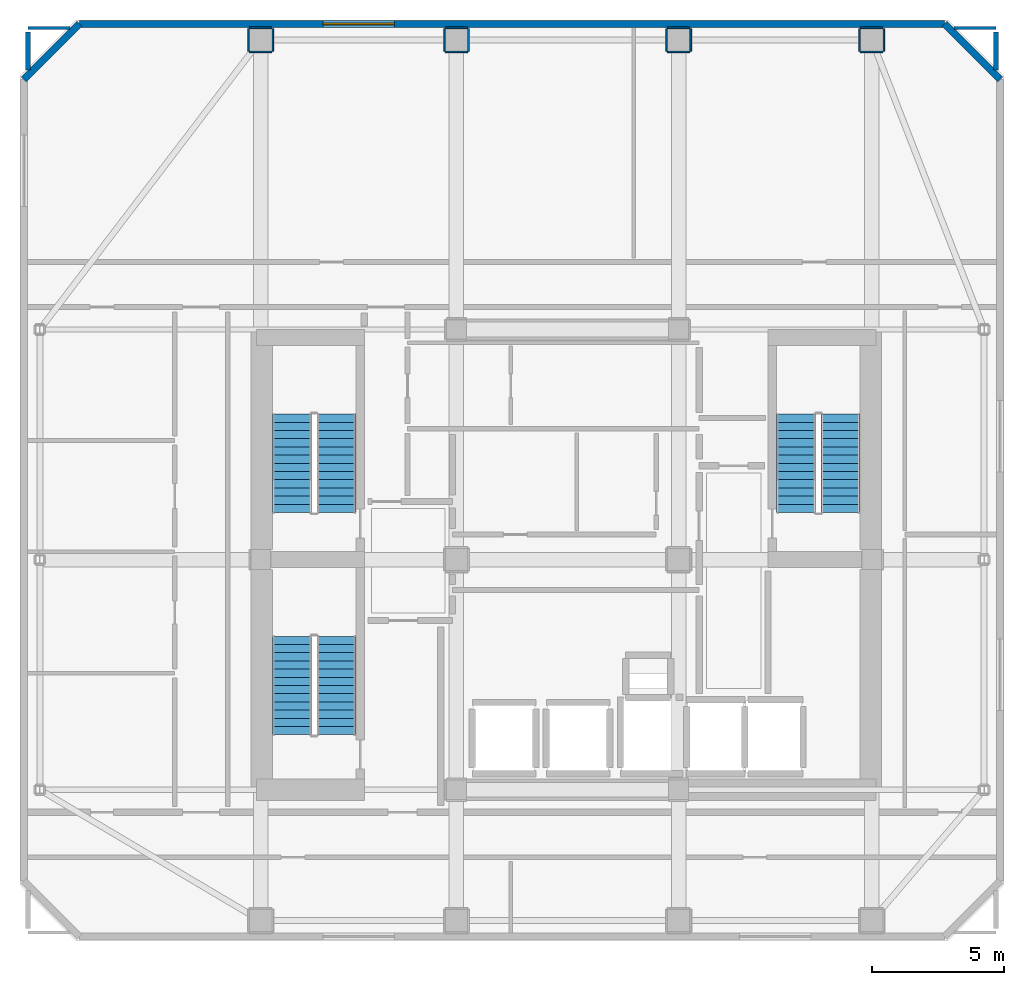
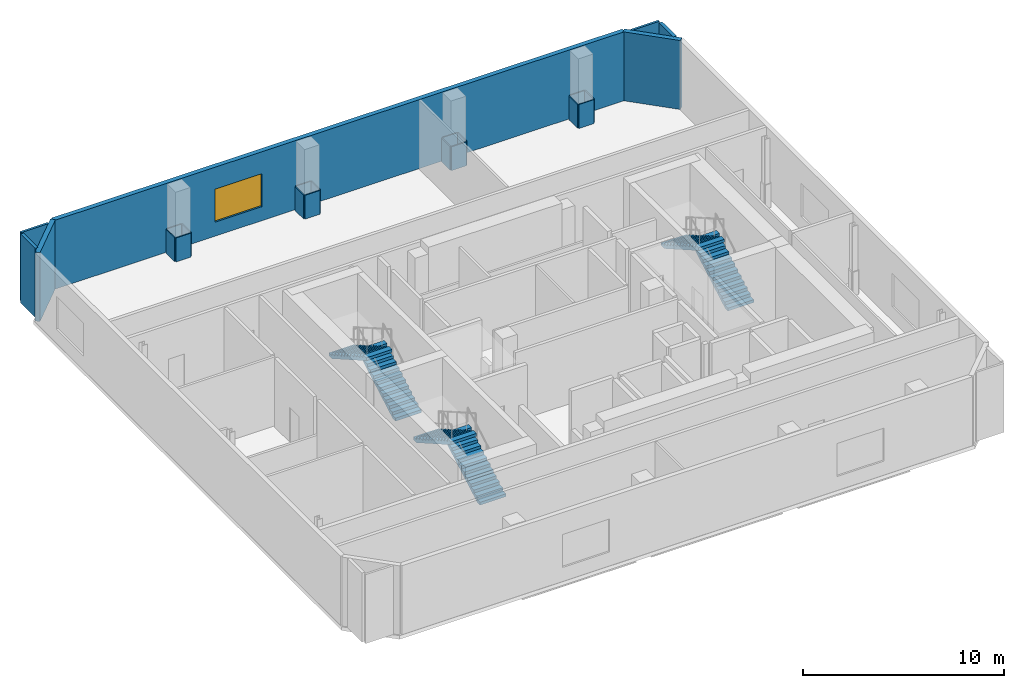
# One storey, part 8 of 9: 23 walls, 6 stair flights, 1 window, 1 opening, 3 elements without a shape of their own.
"""IFC4 building model written with IfcOpenShell, lengths in metres."""

from ifc_helpers import new_model, si_unit, direction, frame, frame_2d, origin, place, context, subcontext, project, spatial, polyline, rectangle, outline, extrude, material, layer, layer_set, type_object, element, fill, aggregate, save


model = new_model("IFC4")

# Units and contexts
model_context = context("Model", 3, precision=1e-05, world=origin(), true_north=direction((0.0, 1.0)))
body_context = subcontext(model_context, "Body", "Model", "MODEL_VIEW")
ifc_project = project(units=[si_unit("LENGTHUNIT", "METRE"), si_unit("AREAUNIT", "SQUARE_METRE"), si_unit("VOLUMEUNIT", "CUBIC_METRE"), si_unit("PLANEANGLEUNIT", "RADIAN"), si_unit("MASSUNIT", "GRAM", prefix="KILO")], contexts=[model_context])

# Site, building, storey
site_placement = place(None, origin())
site = spatial("IfcSite", under=ifc_project, at=site_placement, CompositionType="ELEMENT")
building_placement = place(site_placement, origin())
building = spatial("IfcBuilding", under=site, at=building_placement, Name="Solanera Arch Residences", CompositionType="ELEMENT")
storey_placement = place(building_placement, frame((0.0, 0.0, 273.47998046875)))
storey = spatial("IfcBuildingStorey", under=building, at=storey_placement, Name="L79", CompositionType="ELEMENT", Elevation=273.47998046875)

# Walls
ifc_material_1 = material(Name="Fire-Rated Gypsum Stud Partition", Category="gypsum")
ifc_layer_1 = layer(ifc_material_1, 0.06005859375)
ifc_layer_set_1 = layer_set([ifc_layer_1], Name="Fire-Rated Gypsum Stud Partition")
wall_type_1 = type_object("IfcWallType", Name="Column Acoustic Furring Wall 60", PredefinedType="PARTITIONING", material=ifc_layer_set_1)
for number, where, z_axis, x_axis, name in (
    (1, (12.97509765625, 49.89306640625, 0.0), (0.0, 0.0, 1.0), (1.0, 0.0, 0.0), "L79 Column Furring 10S"),
    (2, (12.97509765625, 50.806884765625, 0.0), (0.0, 0.0, 1.0), (1.0, 0.0, 0.0), "L79 Column Furring 10N"),
    (3, (12.943115234375, 49.925048828125, 0.0), (0.0, 0.0, 1.0), (0.0, 1.0, 0.0), "L79 Column Furring 10W"),
    (4, (13.85693359375, 49.925048828125, 0.0), (0.0, 0.0, 1.0), (0.0, 1.0, 0.0), "L79 Column Furring 10E"),
):
    element("IfcWall", number, at=place(storey_placement, frame(where, z_axis=z_axis, x_axis=x_axis)), inside=storey, type_object=wall_type_1, Name=name, PredefinedType="PARTITIONING", context=body_context, shape_type="SweptSolid", body=[
        extrude(rectangle(XDim=0.849853515625, YDim=0.06005859375, at=frame_2d((0.4248046875, 0.0))), origin(), (0.0, 0.0, 1.0), 1.449951171875),
    ])
for number, where, z_axis, x_axis, name in (
    (5, (20.375, 49.89306640625, 0.0), (0.0, 0.0, 1.0), (1.0, 0.0, 0.0), "L79 Column Furring 12S"),
    (6, (20.375, 50.806884765625, 0.0), (0.0, 0.0, 1.0), (1.0, 0.0, 0.0), "L79 Column Furring 12N"),
):
    element("IfcWall", number, at=place(storey_placement, frame(where, z_axis=z_axis, x_axis=x_axis)), inside=storey, type_object=wall_type_1, Name=name, PredefinedType="PARTITIONING", context=body_context, shape_type="SweptSolid", body=[
        extrude(rectangle(XDim=0.85009765625, YDim=0.06005859375, at=frame_2d((0.425048828125, 0.0))), origin(), (0.0, 0.0, 1.0), 1.449951171875),
    ])
for number, where, z_axis, x_axis, name in (
    (7, (20.343017578125, 49.925048828125, 0.0), (0.0, 0.0, 1.0), (0.0, 1.0, 0.0), "L79 Column Furring 12W"),
    (8, (21.257080078125, 49.925048828125, 0.0), (0.0, 0.0, 1.0), (0.0, 1.0, 0.0), "L79 Column Furring 12E"),
):
    element("IfcWall", number, at=place(storey_placement, frame(where, z_axis=z_axis, x_axis=x_axis)), inside=storey, type_object=wall_type_1, Name=name, PredefinedType="PARTITIONING", context=body_context, shape_type="SweptSolid", body=[
        extrude(rectangle(XDim=0.849853515625, YDim=0.06005859375, at=frame_2d((0.4248046875, 0.0))), origin(), (0.0, 0.0, 1.0), 1.449951171875),
    ])
for number, where, z_axis, x_axis, name in (
    (9, (28.77490234375, 49.89306640625, 0.0), (0.0, 0.0, 1.0), (1.0, 0.0, 0.0), "L79 Column Furring 14S"),
    (10, (28.77490234375, 50.806884765625, 0.0), (0.0, 0.0, 1.0), (1.0, 0.0, 0.0), "L79 Column Furring 14N"),
):
    element("IfcWall", number, at=place(storey_placement, frame(where, z_axis=z_axis, x_axis=x_axis)), inside=storey, type_object=wall_type_1, Name=name, PredefinedType="PARTITIONING", context=body_context, shape_type="SweptSolid", body=[
        extrude(rectangle(XDim=0.85009765625, YDim=0.06005859375, at=frame_2d((0.425048828125, 0.0))), origin(), (0.0, 0.0, 1.0), 1.449951171875),
    ])
for number, where, z_axis, x_axis, name in (
    (11, (28.742919921875, 49.925048828125, 0.0), (0.0, 0.0, 1.0), (0.0, 1.0, 0.0), "L79 Column Furring 14W"),
    (12, (29.656982421875, 49.925048828125, 0.0), (0.0, 0.0, 1.0), (0.0, 1.0, 0.0), "L79 Column Furring 14E"),
):
    element("IfcWall", number, at=place(storey_placement, frame(where, z_axis=z_axis, x_axis=x_axis)), inside=storey, type_object=wall_type_1, Name=name, PredefinedType="PARTITIONING", context=body_context, shape_type="SweptSolid", body=[
        extrude(rectangle(XDim=0.849853515625, YDim=0.06005859375, at=frame_2d((0.4248046875, 0.0))), origin(), (0.0, 0.0, 1.0), 1.449951171875),
    ])
for number, where, z_axis, x_axis, name in (
    (13, (36.074951171875, 49.89306640625, 0.0), (0.0, 0.0, 1.0), (1.0, 0.0, 0.0), "L79 Column Furring 16S"),
    (14, (36.074951171875, 50.806884765625, 0.0), (0.0, 0.0, 1.0), (1.0, 0.0, 0.0), "L79 Column Furring 16N"),
):
    element("IfcWall", number, at=place(storey_placement, frame(where, z_axis=z_axis, x_axis=x_axis)), inside=storey, type_object=wall_type_1, Name=name, PredefinedType="PARTITIONING", context=body_context, shape_type="SweptSolid", body=[
        extrude(rectangle(XDim=0.85009765625, YDim=0.06005859375, at=frame_2d((0.425048828125, 0.0))), origin(), (0.0, 0.0, 1.0), 1.449951171875),
    ])
for number, where, z_axis, x_axis, name in (
    (15, (36.04296875, 49.925048828125, 0.0), (0.0, 0.0, 1.0), (0.0, 1.0, 0.0), "L79 Column Furring 16W"),
    (16, (36.95703125, 49.925048828125, 0.0), (0.0, 0.0, 1.0), (0.0, 1.0, 0.0), "L79 Column Furring 16E"),
):
    element("IfcWall", number, at=place(storey_placement, frame(where, z_axis=z_axis, x_axis=x_axis)), inside=storey, type_object=wall_type_1, Name=name, PredefinedType="PARTITIONING", context=body_context, shape_type="SweptSolid", body=[
        extrude(rectangle(XDim=0.849853515625, YDim=0.06005859375, at=frame_2d((0.4248046875, 0.0))), origin(), (0.0, 0.0, 1.0), 1.449951171875),
    ])
ifc_material_2 = material(Name="Autoclaved Aerated Concrete Blockwork", Category="masonry")
ifc_layer_2 = layer(ifc_material_2, 0.179931640625)
ifc_layer_set_2 = layer_set([ifc_layer_2], Name="Autoclaved Aerated Concrete Blockwork")
wall_type_2 = type_object("IfcWallType", Name="Corridor Fire Partition 180", PredefinedType="PARTITIONING", material=ifc_layer_set_2)
for number, where, z_axis, x_axis, name in (
    (17, (4.60009765625, 49.2109375, 0.0), (0.0, 0.0, 1.0), (0.0, 1.0, 0.0), "L79 Interior Partition V6 2"),
    (18, (41.199951171875, 49.2109375, 0.0), (0.0, 0.0, 1.0), (0.0, 1.0, 0.0), "L79 Interior Partition V11 2"),
):
    element("IfcWall", number, at=place(storey_placement, frame(where, z_axis=z_axis, x_axis=x_axis)), inside=storey, type_object=wall_type_2, Name=name, PredefinedType="PARTITIONING", context=body_context, shape_type="SweptSolid", body=[
        extrude(rectangle(XDim=1.43115234375, YDim=0.179931640625, at=frame_2d((0.715576171875, 0.0))), origin(), (0.0, 0.0, 1.0), 4.179931640625),
    ])
ifc_material_3 = material(Name="Precast Concrete C35/45", Category="concrete")
ifc_layer_3 = layer(ifc_material_3, 0.260009765625)
ifc_layer_set_3 = layer_set([ifc_layer_3], Name="Precast Concrete C35/45")
wall_type_3 = type_object("IfcWallType", Name="Exterior Wall Precast Masonry-Frame 260", PredefinedType="STANDARD", material=ifc_layer_set_3)
wall_1_placement = place(storey_placement, frame((4.445068359375, 48.85498046875, 0.0), z_axis=(0.0, 0.0, 1.0), x_axis=(0.707065676302, 0.707147883682, 0.0)))
element("IfcWall", 19, at=wall_1_placement, inside=storey, type_object=wall_type_3, Name="L79 Tower Exterior Precast Masonry-Frame Wall CH1", PredefinedType="STANDARD", context=body_context, shape_type="SweptSolid", body=[
    extrude(rectangle(XDim=2.9697265625, YDim=0.260009765625, at=frame_2d((1.48486328125, 0.0))), origin(), (0.0, 0.0, 1.0), 4.179931640625),
])

# Wall, opening, window
wall_2_placement = place(storey_placement, frame((6.544921875, 50.955078125, 0.0), z_axis=(0.0, 0.0, 1.0), x_axis=(1.0, 0.0, 0.0)))
wall_2 = element("IfcWall", 20, at=wall_2_placement, inside=storey, type_object=wall_type_3, Name="L79 Tower Exterior Precast Masonry-Frame Wall N", PredefinedType="STANDARD", context=body_context, shape_type="SweptSolid", body=[
    extrude(rectangle(XDim=32.7099609375, YDim=0.260009765625, at=frame_2d((16.35498046875, 0.0))), origin(), (0.0, 0.0, 1.0), 4.179931640625),
])
opening_placement = place(wall_2_placement, frame((9.205078125, 0.0, 0.85009765625)))
opening = element("IfcOpeningElement", 21, at=opening_placement, cuts=wall_2, Name="Opening W-09", PredefinedType="OPENING", context=body_context, shape_type="SweptSolid", body=[
    extrude(rectangle(XDim=2.699951171875, YDim=2.0, at=frame_2d((1.35009765625, 1.0))), frame((0.0, 0.139892578125, 0.0), z_axis=(0.0, -1.0, 0.0), x_axis=(1.0, 0.0, 0.0)), (0.0, 0.0, 1.0), 0.28),
])
ifc_material_4 = material(Name="Double Glazed Low-E Laminated Glass", Category="glass")
window_type = type_object("IfcWindowType", Name="Punched Window W-09", PartitioningType="TRIPLE_PANEL_VERTICAL", PredefinedType="WINDOW", material=ifc_material_4)
window_placement = place(opening_placement, origin())
window = element("IfcWindow", 22, at=window_placement, inside=storey, type_object=window_type, Name="L79 DIN-N Punched Window", OverallHeight=2.0, OverallWidth=2.699951171875, PartitioningType="SINGLE_PANEL", PredefinedType="WINDOW", context=body_context, shape_type="SweptSolid", body=[
    extrude(rectangle(XDim=2.699951171875, YDim=2.0, at=frame_2d((1.35009765625, 1.0))), frame((0.0, 0.030029296875, 0.0), z_axis=(0.0, -1.0, 0.0), x_axis=(1.0, 0.0, 0.0)), (0.0, 0.0, 1.0), 0.06005859375),
])
fill(opening, window)

# Walls
wall_3_placement = place(storey_placement, frame((39.2548828125, 50.955078125, 0.0), z_axis=(0.0, 0.0, 1.0), x_axis=(0.707106781187, -0.707106781187, 0.0)))
element("IfcWall", 23, at=wall_3_placement, inside=storey, type_object=wall_type_3, Name="L79 Tower Exterior Precast Masonry-Frame Wall CH3", PredefinedType="STANDARD", context=body_context, shape_type="SweptSolid", body=[
    extrude(rectangle(XDim=2.969970703125, YDim=0.260009765625, at=frame_2d((1.48486328125, 0.0))), origin(), (0.0, 0.0, 1.0), 4.179931640625),
])
ifc_material_5 = material(Name="Fire-Rated Gypsum Stud Partition", Category="gypsum")
ifc_layer_4 = layer(ifc_material_5, 0.1201171875)
ifc_layer_set_4 = layer_set([ifc_layer_4], Name="Fire-Rated Gypsum Stud Partition")
wall_type_4 = type_object("IfcWallType", Name="Unit Drywall Partition 120", PredefinedType="PARTITIONING", material=ifc_layer_set_4)
for number, where, z_axis, x_axis, name in (
    (24, (4.60009765625, 50.800048828125, 0.0), (0.0, 0.0, 1.0), (1.0, 0.0, 0.0), "L79 Interior Partition H19 1"),
    (25, (39.611083984375, 50.800048828125, 0.0), (0.0, 0.0, 1.0), (1.0, 0.0, 0.0), "L79 Interior Partition H19 2"),
):
    element("IfcWall", number, at=place(storey_placement, frame(where, z_axis=z_axis, x_axis=x_axis)), inside=storey, type_object=wall_type_4, Name=name, PredefinedType="PARTITIONING", context=body_context, shape_type="SweptSolid", body=[
        extrude(rectangle(XDim=1.5888671875, YDim=0.1201171875, at=frame_2d((0.79443359375, 0.0))), origin(), (0.0, 0.0, 1.0), 4.179931640625),
    ])

# Stair, stair flights
ifc_material_6 = material(Name="Concrete C40/50 (f'c = 45 MPa)", Category="concrete")
stair_type = type_object("IfcStairType", Name="Tower Dogleg Exit Stair 1480", PredefinedType="HALF_TURN_STAIR", material=ifc_material_6)
stair_1_placement = place(storey_placement, origin())
stair_1 = element("IfcStair", 26, at=stair_1_placement, inside=storey, type_object=stair_type, Name="L79 Tower Core Exit Stair 1", PredefinedType="HALF_TURN_STAIR")
ifc_material_7 = material(Name="Concrete C40/50 (f'c = 45 MPa)", Category="concrete")
stair_flight_type = type_object("IfcStairFlightType", Name="Tower Precast Stair Flight 1480", PredefinedType="STRAIGHT", material=ifc_material_7)
stair_flight_1_placement = place(storey_placement, frame((16.260009765625, 32.47998046875, 0.0), z_axis=(0.0, 0.0, 1.0), x_axis=(0.0, 1.0, 0.0)))
stair_flight_1 = element("IfcStairFlight", 27, at=stair_flight_1_placement, type_object=stair_flight_type, Name="ST-T1 flight 1", NumberOfRisers=13, NumberOfTreads=12, PredefinedType="STRAIGHT", RiserHeight=0.176923077, TreadLength=0.31, context=body_context, shape_type="SweptSolid", body=[
    extrude(outline(polyline([(0.0, 0.0), (0.0, 0.177001953125), (0.31005859375, 0.177001953125), (0.31005859375, 0.353759765625), (0.6201171875, 0.353759765625), (0.6201171875, 0.53076171875), (0.929931640625, 0.53076171875), (0.929931640625, 0.707763671875), (1.239990234375, 0.707763671875), (1.239990234375, 0.884521484375), (1.550048828125, 0.884521484375), (1.550048828125, 1.0615234375), (1.860107421875, 1.0615234375), (1.860107421875, 1.238525390625), (2.169921875, 1.238525390625), (2.169921875, 1.415283203125), (2.47998046875, 1.415283203125), (2.47998046875, 1.59228515625), (2.7900390625, 1.59228515625), (2.7900390625, 1.769287109375), (3.10009765625, 1.769287109375), (3.10009765625, 1.946044921875), (3.409912109375, 1.946044921875), (3.409912109375, 2.123046875), (3.719970703125, 2.123046875), (3.719970703125, 2.300048828125), (3.719970703125, 1.950439453125), (0.302490234375, 0.0), (0.0, 0.0)])), frame((0.0, 0.739990234375, 0.0), z_axis=(0.0, -1.0, 0.0), x_axis=(1.0, 0.0, 0.0)), (0.0, 0.0, 1.0), 1.47998046875),
])
stair_flight_2_placement = place(storey_placement, frame((14.580078125, 36.199951171875, 2.300048828125), z_axis=(0.0, 0.0, 1.0), x_axis=(0.0, -1.0, 0.0)))
stair_flight_2 = element("IfcStairFlight", 28, at=stair_flight_2_placement, type_object=stair_flight_type, Name="ST-T1 flight 2", NumberOfRisers=13, NumberOfTreads=12, PredefinedType="STRAIGHT", RiserHeight=0.176923077, TreadLength=0.31, context=body_context, shape_type="SweptSolid", body=[
    extrude(outline(polyline([(0.0, 0.0), (0.0, 0.177001953125), (0.31005859375, 0.177001953125), (0.31005859375, 0.353759765625), (0.6201171875, 0.353759765625), (0.6201171875, 0.53076171875), (0.929931640625, 0.53076171875), (0.929931640625, 0.707763671875), (1.239990234375, 0.707763671875), (1.239990234375, 0.884521484375), (1.550048828125, 0.884521484375), (1.550048828125, 1.0615234375), (1.860107421875, 1.0615234375), (1.860107421875, 1.238525390625), (2.169921875, 1.238525390625), (2.169921875, 1.415283203125), (2.47998046875, 1.415283203125), (2.47998046875, 1.59228515625), (2.7900390625, 1.59228515625), (2.7900390625, 1.769287109375), (3.10009765625, 1.769287109375), (3.10009765625, 1.946044921875), (3.409912109375, 1.946044921875), (3.409912109375, 2.123046875), (3.719970703125, 2.123046875), (3.719970703125, 2.300048828125), (3.719970703125, 1.950439453125), (0.302490234375, 0.0), (0.0, 0.0)])), frame((0.0, 0.739990234375, 0.0), z_axis=(0.0, -1.0, 0.0), x_axis=(1.0, 0.0, 0.0)), (0.0, 0.0, 1.0), 1.47998046875),
])
aggregate(stair_1, [stair_flight_1, stair_flight_2])

stair_2_placement = place(storey_placement, origin())
stair_2 = element("IfcStair", 29, at=stair_2_placement, inside=storey, type_object=stair_type, Name="L79 Tower Core Exit Stair 2", PredefinedType="HALF_TURN_STAIR")
stair_flight_3_placement = place(storey_placement, frame((35.320068359375, 32.47998046875, 0.0), z_axis=(0.0, 0.0, 1.0), x_axis=(0.0, 1.0, 0.0)))
stair_flight_3 = element("IfcStairFlight", 30, at=stair_flight_3_placement, type_object=stair_flight_type, Name="ST-T2 flight 1", NumberOfRisers=13, NumberOfTreads=12, PredefinedType="STRAIGHT", RiserHeight=0.176923077, TreadLength=0.31, context=body_context, shape_type="SweptSolid", body=[
    extrude(outline(polyline([(0.0, 0.0), (0.0, 0.177001953125), (0.31005859375, 0.177001953125), (0.31005859375, 0.353759765625), (0.6201171875, 0.353759765625), (0.6201171875, 0.53076171875), (0.929931640625, 0.53076171875), (0.929931640625, 0.707763671875), (1.239990234375, 0.707763671875), (1.239990234375, 0.884521484375), (1.550048828125, 0.884521484375), (1.550048828125, 1.0615234375), (1.860107421875, 1.0615234375), (1.860107421875, 1.238525390625), (2.169921875, 1.238525390625), (2.169921875, 1.415283203125), (2.47998046875, 1.415283203125), (2.47998046875, 1.59228515625), (2.7900390625, 1.59228515625), (2.7900390625, 1.769287109375), (3.10009765625, 1.769287109375), (3.10009765625, 1.946044921875), (3.409912109375, 1.946044921875), (3.409912109375, 2.123046875), (3.719970703125, 2.123046875), (3.719970703125, 2.300048828125), (3.719970703125, 1.950439453125), (0.302490234375, 0.0), (0.0, 0.0)])), frame((0.0, 0.739990234375, 0.0), z_axis=(0.0, -1.0, 0.0), x_axis=(1.0, 0.0, 0.0)), (0.0, 0.0, 1.0), 1.47998046875),
])
stair_flight_4_placement = place(storey_placement, frame((33.639892578125, 36.199951171875, 2.300048828125), z_axis=(0.0, 0.0, 1.0), x_axis=(0.0, -1.0, 0.0)))
stair_flight_4 = element("IfcStairFlight", 31, at=stair_flight_4_placement, type_object=stair_flight_type, Name="ST-T2 flight 2", NumberOfRisers=13, NumberOfTreads=12, PredefinedType="STRAIGHT", RiserHeight=0.176923077, TreadLength=0.31, context=body_context, shape_type="SweptSolid", body=[
    extrude(outline(polyline([(0.0, 0.0), (0.0, 0.177001953125), (0.31005859375, 0.177001953125), (0.31005859375, 0.353759765625), (0.6201171875, 0.353759765625), (0.6201171875, 0.53076171875), (0.929931640625, 0.53076171875), (0.929931640625, 0.707763671875), (1.239990234375, 0.707763671875), (1.239990234375, 0.884521484375), (1.550048828125, 0.884521484375), (1.550048828125, 1.0615234375), (1.860107421875, 1.0615234375), (1.860107421875, 1.238525390625), (2.169921875, 1.238525390625), (2.169921875, 1.415283203125), (2.47998046875, 1.415283203125), (2.47998046875, 1.59228515625), (2.7900390625, 1.59228515625), (2.7900390625, 1.769287109375), (3.10009765625, 1.769287109375), (3.10009765625, 1.946044921875), (3.409912109375, 1.946044921875), (3.409912109375, 2.123046875), (3.719970703125, 2.123046875), (3.719970703125, 2.300048828125), (3.719970703125, 1.950439453125), (0.302490234375, 0.0), (0.0, 0.0)])), frame((0.0, 0.739990234375, 0.0), z_axis=(0.0, -1.0, 0.0), x_axis=(1.0, 0.0, 0.0)), (0.0, 0.0, 1.0), 1.47998046875),
])
aggregate(stair_2, [stair_flight_3, stair_flight_4])

stair_3_placement = place(storey_placement, origin())
stair_3 = element("IfcStair", 32, at=stair_3_placement, inside=storey, type_object=stair_type, Name="L79 Tower Core Exit Stair 3", PredefinedType="HALF_TURN_STAIR")
stair_flight_5_placement = place(storey_placement, frame((16.260009765625, 24.080078125, 0.0), z_axis=(0.0, 0.0, 1.0), x_axis=(0.0, 1.0, 0.0)))
stair_flight_5 = element("IfcStairFlight", 33, at=stair_flight_5_placement, type_object=stair_flight_type, Name="ST-T3 flight 1", NumberOfRisers=13, NumberOfTreads=12, PredefinedType="STRAIGHT", RiserHeight=0.176923077, TreadLength=0.31, context=body_context, shape_type="SweptSolid", body=[
    extrude(outline(polyline([(0.0, 0.0), (0.0, 0.177001953125), (0.31005859375, 0.177001953125), (0.31005859375, 0.353759765625), (0.6201171875, 0.353759765625), (0.6201171875, 0.53076171875), (0.929931640625, 0.53076171875), (0.929931640625, 0.707763671875), (1.239990234375, 0.707763671875), (1.239990234375, 0.884521484375), (1.550048828125, 0.884521484375), (1.550048828125, 1.0615234375), (1.860107421875, 1.0615234375), (1.860107421875, 1.238525390625), (2.169921875, 1.238525390625), (2.169921875, 1.415283203125), (2.47998046875, 1.415283203125), (2.47998046875, 1.59228515625), (2.7900390625, 1.59228515625), (2.7900390625, 1.769287109375), (3.10009765625, 1.769287109375), (3.10009765625, 1.946044921875), (3.409912109375, 1.946044921875), (3.409912109375, 2.123046875), (3.719970703125, 2.123046875), (3.719970703125, 2.300048828125), (3.719970703125, 1.950439453125), (0.302490234375, 0.0), (0.0, 0.0)])), frame((0.0, 0.739990234375, 0.0), z_axis=(0.0, -1.0, 0.0), x_axis=(1.0, 0.0, 0.0)), (0.0, 0.0, 1.0), 1.47998046875),
])
stair_flight_6_placement = place(storey_placement, frame((14.580078125, 27.800048828125, 2.300048828125), z_axis=(0.0, 0.0, 1.0), x_axis=(0.0, -1.0, 0.0)))
stair_flight_6 = element("IfcStairFlight", 34, at=stair_flight_6_placement, type_object=stair_flight_type, Name="ST-T3 flight 2", NumberOfRisers=13, NumberOfTreads=12, PredefinedType="STRAIGHT", RiserHeight=0.176923077, TreadLength=0.31, context=body_context, shape_type="SweptSolid", body=[
    extrude(outline(polyline([(0.0, 0.0), (0.0, 0.177001953125), (0.31005859375, 0.177001953125), (0.31005859375, 0.353759765625), (0.6201171875, 0.353759765625), (0.6201171875, 0.53076171875), (0.929931640625, 0.53076171875), (0.929931640625, 0.707763671875), (1.239990234375, 0.707763671875), (1.239990234375, 0.884521484375), (1.550048828125, 0.884521484375), (1.550048828125, 1.0615234375), (1.860107421875, 1.0615234375), (1.860107421875, 1.238525390625), (2.169921875, 1.238525390625), (2.169921875, 1.415283203125), (2.47998046875, 1.415283203125), (2.47998046875, 1.59228515625), (2.7900390625, 1.59228515625), (2.7900390625, 1.769287109375), (3.10009765625, 1.769287109375), (3.10009765625, 1.946044921875), (3.409912109375, 1.946044921875), (3.409912109375, 2.123046875), (3.719970703125, 2.123046875), (3.719970703125, 2.300048828125), (3.719970703125, 1.950439453125), (0.302490234375, 0.0), (0.0, 0.0)])), frame((0.0, 0.739990234375, 0.0), z_axis=(0.0, -1.0, 0.0), x_axis=(1.0, 0.0, 0.0)), (0.0, 0.0, 1.0), 1.47998046875),
])
aggregate(stair_3, [stair_flight_5, stair_flight_6])

save(model, "model.ifc")
